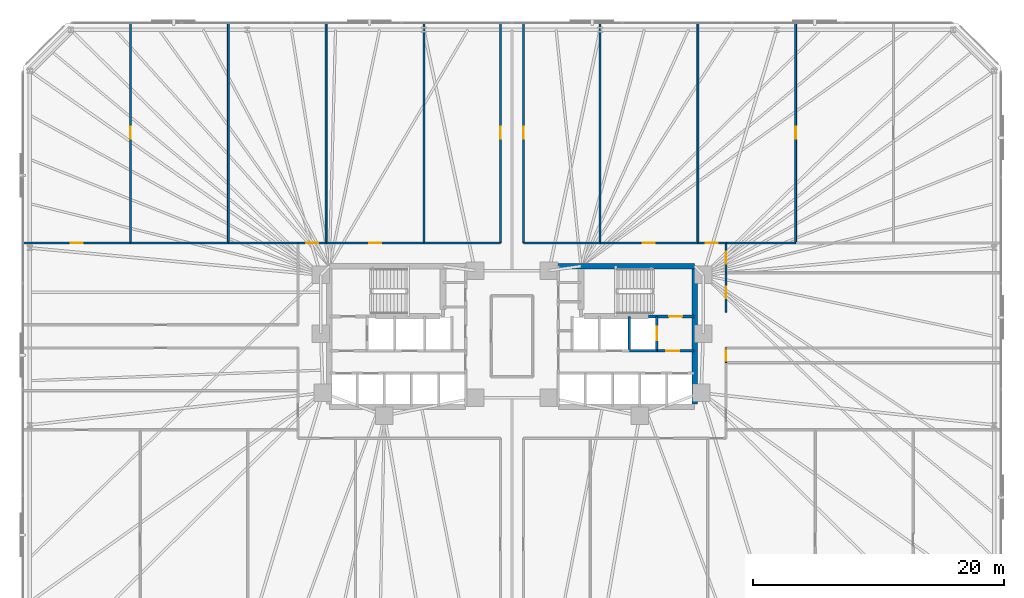
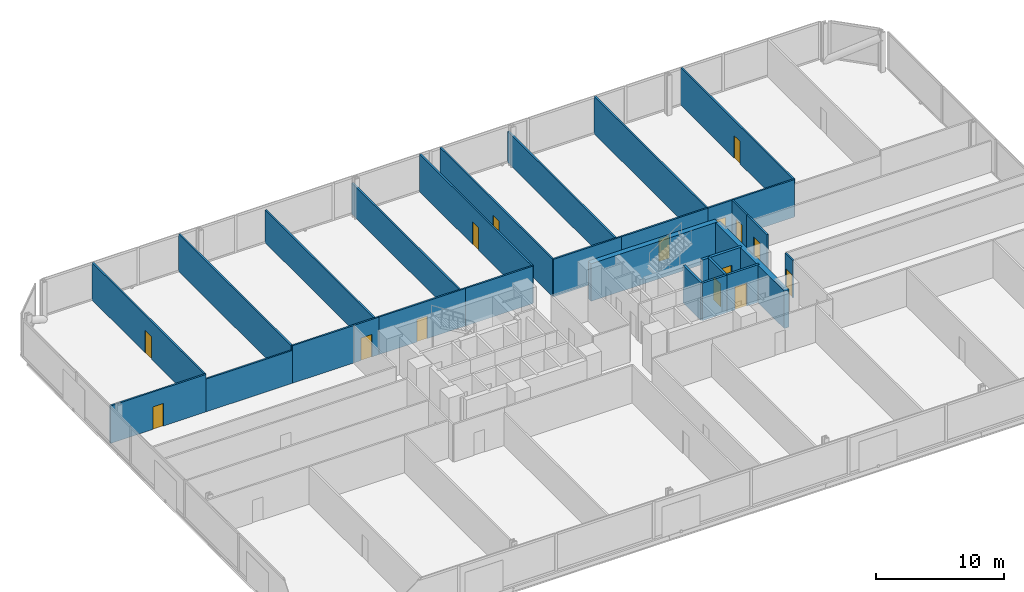
# One storey, part 14 of 17: 29 walls, 15 doors, 15 openings.
"""IFC4 building model written with IfcOpenShell, lengths in metres."""

from ifc_helpers import new_model, si_unit, direction, frame, frame_2d, origin, place, context, subcontext, project, spatial, rectangle, extrude, material, layer, layer_set, type_object, element, fill, save


model = new_model("IFC4")

# Units and contexts
model_context = context("Model", 3, precision=1e-05, world=origin(), true_north=direction((0.0, 1.0)))
body_context = subcontext(model_context, "Body", "Model", "MODEL_VIEW")
ifc_project = project(units=[si_unit("LENGTHUNIT", "METRE"), si_unit("AREAUNIT", "SQUARE_METRE"), si_unit("VOLUMEUNIT", "CUBIC_METRE"), si_unit("PLANEANGLEUNIT", "RADIAN"), si_unit("MASSUNIT", "GRAM", prefix="KILO")], contexts=[model_context])

# Site, building, storey
site_placement = place(None, origin())
site = spatial("IfcSite", under=ifc_project, at=site_placement, CompositionType="ELEMENT")
building_placement = place(site_placement, origin())
building = spatial("IfcBuilding", under=site, at=building_placement, Name="Menara Jurai Vektor", CompositionType="ELEMENT")
storey_placement = place(building_placement, frame((0.0, 0.0, 63.60009765625)))
storey = spatial("IfcBuildingStorey", under=building, at=storey_placement, Name="L15", CompositionType="ELEMENT", Elevation=63.60009765625)

# Wall, opening, door
ifc_material_1 = material(Name="Concrete C40/50", Category="concrete")
ifc_layer_1 = layer(ifc_material_1, 0.25)
ifc_layer_set_1 = layer_set([ifc_layer_1], Name="Concrete C40/50")
wall_type_1 = type_object("IfcWallType", Name="INT-WALL-CORE-250", PredefinedType="STANDARD", material=ifc_layer_set_1)
wall_1_placement = place(storey_placement, frame((10.89990234375, 1.60009765625, 0.0), z_axis=(0.0, 0.0, 1.0), x_axis=(1.0, 0.0, 0.0)))
wall_1 = element("IfcWall", 1, at=wall_1_placement, inside=storey, type_object=wall_type_1, Name="Interior Wall IW-250 L15", PredefinedType="STANDARD", context=body_context, shape_type="SweptSolid", body=[
    extrude(rectangle(XDim=3.60009765625, YDim=0.25, at=frame_2d((1.800048828125, 0.0))), origin(), (0.0, 0.0, 1.0), 3.574951171875),
])
opening_1_placement = place(wall_1_placement, frame((1.6201171875, 0.0, 0.0)))
opening_1 = element("IfcOpeningElement", 2, at=opening_1_placement, cuts=wall_1, Name="Opening D-L15-ST2", PredefinedType="OPENING", context=body_context, shape_type="SweptSolid", body=[
    extrude(rectangle(XDim=1.050048828125, YDim=2.14990234375, at=frame_2d((0.52490234375, 1.074951171875))), frame((0.0, 0.135009765625, 0.0), z_axis=(0.0, -1.0, 0.0), x_axis=(1.0, 0.0, 0.0)), (0.0, 0.0, 1.0), 0.27001953125),
])
ifc_material_2 = material(Name="Fire-Rated Steel Door", Category="steel")
door_type_1 = type_object("IfcDoorType", Name="DR-STAIR-1050", OperationType="NOTDEFINED", PredefinedType="DOOR", material=ifc_material_2)
door_1_placement = place(opening_1_placement, origin())
door_1 = element("IfcDoor", 3, at=door_1_placement, inside=storey, type_object=door_type_1, Name="Exit Stair ST2 Door L15", OperationType="SINGLE_SWING_LEFT", OverallHeight=2.14990234375, OverallWidth=1.050048828125, PredefinedType="DOOR", context=body_context, shape_type="SweptSolid", body=[
    extrude(rectangle(XDim=1.050048828125, YDim=2.14990234375, at=frame_2d((0.52490234375, 1.074951171875))), frame((0.0, 0.02490234375, 0.0), z_axis=(0.0, -1.0, 0.0), x_axis=(1.0, 0.0, 0.0)), (0.0, 0.0, 1.0), 0.050048828125),
])
fill(opening_1, door_1)

wall_2_placement = place(storey_placement, frame((11.550048828125, -1.14990234375, 0.0), z_axis=(0.0, 0.0, 1.0), x_axis=(0.0, 1.0, 0.0)))
wall_2 = element("IfcWall", 4, at=wall_2_placement, inside=storey, type_object=wall_type_1, Name="Interior Wall IW-250 L15", PredefinedType="STANDARD", context=body_context, shape_type="SweptSolid", body=[
    extrude(rectangle(XDim=2.75, YDim=0.199951171875, at=frame_2d((1.375, 0.0))), origin(), (0.0, 0.0, 1.0), 3.574951171875),
])
opening_2_placement = place(wall_2_placement, frame((0.824951171875, 0.0, 0.0)))
opening_2 = element("IfcOpeningElement", 5, at=opening_2_placement, cuts=wall_2, Name="Opening LD-L15-FL2", PredefinedType="OPENING", context=body_context, shape_type="SweptSolid", body=[
    extrude(rectangle(XDim=1.10009765625, YDim=2.14990234375, at=frame_2d((0.550048828125, 1.074951171875))), frame((0.0, 0.10986328125, 0.0), z_axis=(0.0, -1.0, 0.0), x_axis=(1.0, 0.0, 0.0)), (0.0, 0.0, 1.0), 0.219970703125),
])
ifc_material_3 = material(Name="Stainless Steel Sliding Lift Landing Door", Category="steel")
door_type_2 = type_object("IfcDoorType", Name="DR-LIFT-FIRE-1100", OperationType="NOTDEFINED", PredefinedType="DOOR", material=ifc_material_3)
door_2_placement = place(opening_2_placement, origin())
door_2 = element("IfcDoor", 6, at=door_2_placement, inside=storey, type_object=door_type_2, Name="Lift Landing Door FL2 L15", OperationType="SLIDING_TO_RIGHT", OverallHeight=2.14990234375, OverallWidth=1.10009765625, PredefinedType="DOOR", context=body_context, shape_type="SweptSolid", body=[
    extrude(rectangle(XDim=1.10009765625, YDim=2.14990234375, at=frame_2d((0.550048828125, 1.074951171875))), frame((0.0, 0.02490234375, 0.0), z_axis=(0.0, -1.0, 0.0), x_axis=(1.0, 0.0, 0.0)), (0.0, 0.0, 1.0), 0.050048828125),
])
fill(opening_2, door_2)

# Wall
wall_3_placement = place(storey_placement, frame((9.35009765625, -1.14990234375, 0.0), z_axis=(0.0, 0.0, 1.0), x_axis=(0.0, 1.0, 0.0)))
element("IfcWall", 7, at=wall_3_placement, inside=storey, type_object=wall_type_1, Name="Interior Wall IW-250 L15", PredefinedType="STANDARD", context=body_context, shape_type="SweptSolid", body=[
    extrude(rectangle(XDim=2.75, YDim=0.199951171875, at=frame_2d((1.375, 0.0))), origin(), (0.0, 0.0, 1.0), 3.574951171875),
])

# Wall, opening, door
wall_4_placement = place(storey_placement, frame((11.550048828125, -1.14990234375, 0.0), z_axis=(0.0, 0.0, 1.0), x_axis=(1.0, 0.0, 0.0)))
wall_4 = element("IfcWall", 8, at=wall_4_placement, inside=storey, type_object=wall_type_1, Name="Interior Wall IW-250 L15", PredefinedType="STANDARD", context=body_context, shape_type="SweptSolid", body=[
    extrude(rectangle(XDim=2.949951171875, YDim=0.199951171875, at=frame_2d((1.47509765625, 0.0))), origin(), (0.0, 0.0, 1.0), 3.574951171875),
])
opening_3_placement = place(wall_4_placement, frame((0.75, 0.0, 0.0)))
opening_3 = element("IfcOpeningElement", 9, at=opening_3_placement, cuts=wall_4, Name="Opening D-L15-FFE", PredefinedType="OPENING", context=body_context, shape_type="SweptSolid", body=[
    extrude(rectangle(XDim=1.050048828125, YDim=2.179931640625, at=frame_2d((0.52490234375, 1.08984375))), frame((0.0, 0.10986328125, 0.0), z_axis=(0.0, -1.0, 0.0), x_axis=(1.0, 0.0, 0.0)), (0.0, 0.0, 1.0), 0.219970703125),
])
ifc_material_4 = material(Name="Fire-Rated Timber Door", Category="wood")
door_type_3 = type_object("IfcDoorType", Name="DR-LOBBY-1050", OperationType="NOTDEFINED", PredefinedType="DOOR", material=ifc_material_4)
door_3_placement = place(opening_3_placement, origin())
door_3 = element("IfcDoor", 10, at=door_3_placement, inside=storey, type_object=door_type_3, Name="Fire Lift Lobby Door E L15", OperationType="SINGLE_SWING_LEFT", OverallHeight=2.179931640625, OverallWidth=1.050048828125, PredefinedType="DOOR", context=body_context, shape_type="SweptSolid", body=[
    extrude(rectangle(XDim=1.050048828125, YDim=2.179931640625, at=frame_2d((0.52490234375, 1.08984375))), frame((0.0, 0.02490234375, 0.0), z_axis=(0.0, -1.0, 0.0), x_axis=(1.0, 0.0, 0.0)), (0.0, 0.0, 1.0), 0.050048828125),
])
fill(opening_3, door_3)

# Wall
wall_5_placement = place(storey_placement, frame((9.35009765625, -1.14990234375, 0.0), z_axis=(0.0, 0.0, 1.0), x_axis=(1.0, 0.0, 0.0)))
element("IfcWall", 11, at=wall_5_placement, inside=storey, type_object=wall_type_1, Name="Interior Wall IW-250 L15", PredefinedType="STANDARD", context=body_context, shape_type="SweptSolid", body=[
    extrude(rectangle(XDim=2.199951171875, YDim=0.199951171875, at=frame_2d((1.10009765625, 0.0))), origin(), (0.0, 0.0, 1.0), 3.574951171875),
])

# Wall, opening, door
ifc_material_5 = material(Name="Gypsum Fireboard Partition", Category="gypsum")
ifc_layer_2 = layer(ifc_material_5, 0.14990234375)
ifc_layer_set_2 = layer_set([ifc_layer_2], Name="Gypsum Fireboard Partition")
wall_type_2 = type_object("IfcWallType", Name="INT-WALL-CORR-150", PredefinedType="PARTITIONING", material=ifc_layer_set_2)
wall_6_placement = place(storey_placement, frame((-17.05908203125, 7.449951171875, 0.0), z_axis=(0.0, 0.0, 1.0), x_axis=(1.0, 0.0, 0.0)))
wall_6 = element("IfcWall", 12, at=wall_6_placement, inside=storey, type_object=wall_type_2, Name="Interior Wall IW-150 L15", PredefinedType="PARTITIONING", context=body_context, shape_type="SweptSolid", body=[
    extrude(rectangle(XDim=2.239013671875, YDim=0.14990234375, at=frame_2d((1.11962890625, 0.0))), origin(), (0.0, 0.0, 1.0), 3.574951171875),
])
opening_4_placement = place(wall_6_placement, frame((0.64453125, 0.0, 0.0)))
opening_4 = element("IfcOpeningElement", 13, at=opening_4_placement, cuts=wall_6, Name="Opening D15-07", PredefinedType="OPENING", context=body_context, shape_type="SweptSolid", body=[
    extrude(rectangle(XDim=0.949951171875, YDim=2.14990234375, at=frame_2d((0.47509765625, 1.074951171875))), frame((0.0, 0.0849609375, 0.0), z_axis=(0.0, -1.0, 0.0), x_axis=(1.0, 0.0, 0.0)), (0.0, 0.0, 1.0), 0.169921875),
])
ifc_material_6 = material(Name="Solid Core Timber Fire Door", Category="wood")
door_type_4 = type_object("IfcDoorType", Name="DR-ENTRY-950", OperationType="NOTDEFINED", PredefinedType="DOOR", material=ifc_material_6)
door_4_placement = place(opening_4_placement, origin())
door_4 = element("IfcDoor", 14, at=door_4_placement, inside=storey, type_object=door_type_4, Name="Interior Door D15-07", OperationType="SINGLE_SWING_RIGHT", OverallHeight=2.14990234375, OverallWidth=0.949951171875, PredefinedType="DOOR", context=body_context, shape_type="SweptSolid", body=[
    extrude(rectangle(XDim=0.949951171875, YDim=2.14990234375, at=frame_2d((0.47509765625, 1.074951171875))), frame((0.0, 0.02490234375, 0.0), z_axis=(0.0, -1.0, 0.0), x_axis=(1.0, 0.0, 0.0)), (0.0, 0.0, 1.0), 0.050048828125),
])
fill(opening_4, door_4)

wall_7_placement = place(storey_placement, frame((-14.820068359375, 7.449951171875, 0.0), z_axis=(0.0, 0.0, 1.0), x_axis=(1.0, 0.0, 0.0)))
wall_7 = element("IfcWall", 15, at=wall_7_placement, inside=storey, type_object=wall_type_2, Name="Interior Wall IW-150 L15", PredefinedType="PARTITIONING", context=body_context, shape_type="SweptSolid", body=[
    extrude(rectangle(XDim=7.800048828125, YDim=0.14990234375, at=frame_2d((3.89990234375, 0.0))), origin(), (0.0, 0.0, 1.0), 3.574951171875),
])
opening_5_placement = place(wall_7_placement, frame((3.425048828125, 0.0, 0.0)))
opening_5 = element("IfcOpeningElement", 16, at=opening_5_placement, cuts=wall_7, Name="Opening D15-08", PredefinedType="OPENING", context=body_context, shape_type="SweptSolid", body=[
    extrude(rectangle(XDim=0.949951171875, YDim=2.14990234375, at=frame_2d((0.47509765625, 1.074951171875))), frame((0.0, 0.0849609375, 0.0), z_axis=(0.0, -1.0, 0.0), x_axis=(1.0, 0.0, 0.0)), (0.0, 0.0, 1.0), 0.169921875),
])
door_5_placement = place(opening_5_placement, origin())
door_5 = element("IfcDoor", 17, at=door_5_placement, inside=storey, type_object=door_type_4, Name="Interior Door D15-08", OperationType="SINGLE_SWING_LEFT", OverallHeight=2.14990234375, OverallWidth=0.949951171875, PredefinedType="DOOR", context=body_context, shape_type="SweptSolid", body=[
    extrude(rectangle(XDim=0.949951171875, YDim=2.14990234375, at=frame_2d((0.47509765625, 1.074951171875))), frame((0.0, 0.02490234375, 0.0), z_axis=(0.0, -1.0, 0.0), x_axis=(1.0, 0.0, 0.0)), (0.0, 0.0, 1.0), 0.050048828125),
])
fill(opening_5, door_5)

# Wall
wall_8_placement = place(storey_placement, frame((-7.02001953125, 7.449951171875, 0.0), z_axis=(0.0, 0.0, 1.0), x_axis=(1.0, 0.0, 0.0)))
element("IfcWall", 18, at=wall_8_placement, inside=storey, type_object=wall_type_2, Name="Interior Wall IW-150 L15", PredefinedType="PARTITIONING", context=body_context, shape_type="SweptSolid", body=[
    extrude(rectangle(XDim=6.10009765625, YDim=0.14990234375, at=frame_2d((3.050048828125, 0.0))), origin(), (0.0, 0.0, 1.0), 3.574951171875),
])

# Wall, opening, door
wall_9_placement = place(storey_placement, frame((-0.919921875, 7.449951171875, 0.0), z_axis=(0.0, 0.0, 1.0), x_axis=(0.0, 1.0, 0.0)))
wall_9 = element("IfcWall", 19, at=wall_9_placement, inside=storey, type_object=wall_type_2, Name="Interior Wall IW-150 L15", PredefinedType="PARTITIONING", context=body_context, shape_type="SweptSolid", body=[
    extrude(rectangle(XDim=17.550048828125, YDim=0.14990234375, at=frame_2d((8.77490234375, 0.0))), origin(), (0.0, 0.0, 1.0), 3.574951171875),
])
opening_6_placement = place(wall_9_placement, frame((8.300048828125, 0.0, 0.0)))
opening_6 = element("IfcOpeningElement", 20, at=opening_6_placement, cuts=wall_9, Name="Opening D15-09", PredefinedType="OPENING", context=body_context, shape_type="SweptSolid", body=[
    extrude(rectangle(XDim=0.949951171875, YDim=2.14990234375, at=frame_2d((0.47509765625, 1.074951171875))), frame((0.0, 0.0849609375, 0.0), z_axis=(0.0, -1.0, 0.0), x_axis=(1.0, 0.0, 0.0)), (0.0, 0.0, 1.0), 0.169921875),
])
door_6_placement = place(opening_6_placement, origin())
door_6 = element("IfcDoor", 21, at=door_6_placement, inside=storey, type_object=door_type_4, Name="Interior Door D15-09", OperationType="SINGLE_SWING_RIGHT", OverallHeight=2.14990234375, OverallWidth=0.949951171875, PredefinedType="DOOR", context=body_context, shape_type="SweptSolid", body=[
    extrude(rectangle(XDim=0.949951171875, YDim=2.14990234375, at=frame_2d((0.47509765625, 1.074951171875))), frame((0.0, 0.02490234375, 0.0), z_axis=(0.0, -1.0, 0.0), x_axis=(1.0, 0.0, 0.0)), (0.0, 0.0, 1.0), 0.050048828125),
])
fill(opening_6, door_6)

wall_10_placement = place(storey_placement, frame((0.919921875, 7.449951171875, 0.0), z_axis=(0.0, 0.0, 1.0), x_axis=(0.0, 1.0, 0.0)))
wall_10 = element("IfcWall", 22, at=wall_10_placement, inside=storey, type_object=wall_type_2, Name="Interior Wall IW-150 L15", PredefinedType="PARTITIONING", context=body_context, shape_type="SweptSolid", body=[
    extrude(rectangle(XDim=17.550048828125, YDim=0.14990234375, at=frame_2d((8.77490234375, 0.0))), origin(), (0.0, 0.0, 1.0), 3.574951171875),
])
opening_7_placement = place(wall_10_placement, frame((8.300048828125, 0.0, 0.0)))
opening_7 = element("IfcOpeningElement", 23, at=opening_7_placement, cuts=wall_10, Name="Opening D15-10", PredefinedType="OPENING", context=body_context, shape_type="SweptSolid", body=[
    extrude(rectangle(XDim=0.949951171875, YDim=2.14990234375, at=frame_2d((0.47509765625, 1.074951171875))), frame((0.0, 0.0849609375, 0.0), z_axis=(0.0, -1.0, 0.0), x_axis=(1.0, 0.0, 0.0)), (0.0, 0.0, 1.0), 0.169921875),
])
door_7_placement = place(opening_7_placement, origin())
door_7 = element("IfcDoor", 24, at=door_7_placement, inside=storey, type_object=door_type_4, Name="Interior Door D15-10", OperationType="SINGLE_SWING_LEFT", OverallHeight=2.14990234375, OverallWidth=0.949951171875, PredefinedType="DOOR", context=body_context, shape_type="SweptSolid", body=[
    extrude(rectangle(XDim=0.949951171875, YDim=2.14990234375, at=frame_2d((0.47509765625, 1.074951171875))), frame((0.0, 0.02490234375, 0.0), z_axis=(0.0, -1.0, 0.0), x_axis=(1.0, 0.0, 0.0)), (0.0, 0.0, 1.0), 0.050048828125),
])
fill(opening_7, door_7)

# Wall
wall_11_placement = place(storey_placement, frame((0.919921875, 7.449951171875, 0.0), z_axis=(0.0, 0.0, 1.0), x_axis=(1.0, 0.0, 0.0)))
element("IfcWall", 25, at=wall_11_placement, inside=storey, type_object=wall_type_2, Name="Interior Wall IW-150 L15", PredefinedType="PARTITIONING", context=body_context, shape_type="SweptSolid", body=[
    extrude(rectangle(XDim=6.10009765625, YDim=0.14990234375, at=frame_2d((3.050048828125, 0.0))), origin(), (0.0, 0.0, 1.0), 3.574951171875),
])

# Wall, opening, door
wall_12_placement = place(storey_placement, frame((7.02001953125, 7.449951171875, 0.0), z_axis=(0.0, 0.0, 1.0), x_axis=(1.0, 0.0, 0.0)))
wall_12 = element("IfcWall", 26, at=wall_12_placement, inside=storey, type_object=wall_type_2, Name="Interior Wall IW-150 L15", PredefinedType="PARTITIONING", context=body_context, shape_type="SweptSolid", body=[
    extrude(rectangle(XDim=7.800048828125, YDim=0.14990234375, at=frame_2d((3.89990234375, 0.0))), origin(), (0.0, 0.0, 1.0), 3.574951171875),
])
opening_8_placement = place(wall_12_placement, frame((3.425048828125, 0.0, 0.0)))
opening_8 = element("IfcOpeningElement", 27, at=opening_8_placement, cuts=wall_12, Name="Opening D15-11", PredefinedType="OPENING", context=body_context, shape_type="SweptSolid", body=[
    extrude(rectangle(XDim=0.949951171875, YDim=2.14990234375, at=frame_2d((0.47509765625, 1.074951171875))), frame((0.0, 0.0849609375, 0.0), z_axis=(0.0, -1.0, 0.0), x_axis=(1.0, 0.0, 0.0)), (0.0, 0.0, 1.0), 0.169921875),
])
door_8_placement = place(opening_8_placement, origin())
door_8 = element("IfcDoor", 28, at=door_8_placement, inside=storey, type_object=door_type_4, Name="Interior Door D15-11", OperationType="SINGLE_SWING_RIGHT", OverallHeight=2.14990234375, OverallWidth=0.949951171875, PredefinedType="DOOR", context=body_context, shape_type="SweptSolid", body=[
    extrude(rectangle(XDim=0.949951171875, YDim=2.14990234375, at=frame_2d((0.47509765625, 1.074951171875))), frame((0.0, 0.02490234375, 0.0), z_axis=(0.0, -1.0, 0.0), x_axis=(1.0, 0.0, 0.0)), (0.0, 0.0, 1.0), 0.050048828125),
])
fill(opening_8, door_8)

wall_13_placement = place(storey_placement, frame((14.820068359375, 7.449951171875, 0.0), z_axis=(0.0, 0.0, 1.0), x_axis=(1.0, 0.0, 0.0)))
wall_13 = element("IfcWall", 29, at=wall_13_placement, inside=storey, type_object=wall_type_2, Name="Interior Wall IW-150 L15", PredefinedType="PARTITIONING", context=body_context, shape_type="SweptSolid", body=[
    extrude(rectangle(XDim=2.239013671875, YDim=0.14990234375, at=frame_2d((1.11962890625, 0.0))), origin(), (0.0, 0.0, 1.0), 3.574951171875),
])
opening_9_placement = place(wall_13_placement, frame((0.64453125, 0.0, 0.0)))
opening_9 = element("IfcOpeningElement", 30, at=opening_9_placement, cuts=wall_13, Name="Opening D15-12", PredefinedType="OPENING", context=body_context, shape_type="SweptSolid", body=[
    extrude(rectangle(XDim=0.949951171875, YDim=2.14990234375, at=frame_2d((0.47509765625, 1.074951171875))), frame((0.0, 0.0849609375, 0.0), z_axis=(0.0, -1.0, 0.0), x_axis=(1.0, 0.0, 0.0)), (0.0, 0.0, 1.0), 0.169921875),
])
door_9_placement = place(opening_9_placement, origin())
door_9 = element("IfcDoor", 31, at=door_9_placement, inside=storey, type_object=door_type_4, Name="Interior Door D15-12", OperationType="SINGLE_SWING_LEFT", OverallHeight=2.14990234375, OverallWidth=0.949951171875, PredefinedType="DOOR", context=body_context, shape_type="SweptSolid", body=[
    extrude(rectangle(XDim=0.949951171875, YDim=2.14990234375, at=frame_2d((0.47509765625, 1.074951171875))), frame((0.0, 0.02490234375, 0.0), z_axis=(0.0, -1.0, 0.0), x_axis=(1.0, 0.0, 0.0)), (0.0, 0.0, 1.0), 0.050048828125),
])
fill(opening_9, door_9)

wall_14_placement = place(storey_placement, frame((17.05908203125, -2.0859375, 0.0), z_axis=(0.0, 0.0, 1.0), x_axis=(0.0, 1.0, 0.0)))
wall_14 = element("IfcWall", 32, at=wall_14_placement, inside=storey, type_object=wall_type_2, Name="Interior Wall IW-150 L15", PredefinedType="PARTITIONING", context=body_context, shape_type="SweptSolid", body=[
    extrude(rectangle(XDim=1.166015625, YDim=0.14990234375, at=frame_2d((0.5830078125, 0.0))), origin(), (0.0, 0.0, 1.0), 3.574951171875),
])
opening_10_placement = place(wall_14_placement, frame((0.1201171875, 0.0, 0.0)))
opening_10 = element("IfcOpeningElement", 33, at=opening_10_placement, cuts=wall_14, Name="Opening D15-22", PredefinedType="OPENING", context=body_context, shape_type="SweptSolid", body=[
    extrude(rectangle(XDim=0.926025390625, YDim=2.14990234375, at=frame_2d((0.462890625, 1.074951171875))), frame((0.0, 0.0849609375, 0.0), z_axis=(0.0, -1.0, 0.0), x_axis=(1.0, 0.0, 0.0)), (0.0, 0.0, 1.0), 0.169921875),
])
door_10_placement = place(opening_10_placement, origin())
door_10 = element("IfcDoor", 34, at=door_10_placement, inside=storey, type_object=door_type_4, Name="Interior Door D15-22", OperationType="SINGLE_SWING_LEFT", OverallHeight=2.14990234375, OverallWidth=0.926025390625, PredefinedType="DOOR", context=body_context, shape_type="SweptSolid", body=[
    extrude(rectangle(XDim=0.926025390625, YDim=2.14990234375, at=frame_2d((0.462890625, 1.074951171875))), frame((0.0, 0.02490234375, 0.0), z_axis=(0.0, -1.0, 0.0), x_axis=(1.0, 0.0, 0.0)), (0.0, 0.0, 1.0), 0.050048828125),
])
fill(opening_10, door_10)

wall_15_placement = place(storey_placement, frame((17.05908203125, 1.93701171875, 0.0), z_axis=(0.0, 0.0, 1.0), x_axis=(0.0, 1.0, 0.0)))
wall_15 = element("IfcWall", 35, at=wall_15_placement, inside=storey, type_object=wall_type_2, Name="Interior Wall IW-150 L15", PredefinedType="PARTITIONING", context=body_context, shape_type="SweptSolid", body=[
    extrude(rectangle(XDim=3.12890625, YDim=0.14990234375, at=frame_2d((1.564453125, 0.0))), origin(), (0.0, 0.0, 1.0), 3.574951171875),
])
opening_11_placement = place(wall_15_placement, frame((1.089599609375, 0.0, 0.0)))
opening_11 = element("IfcOpeningElement", 36, at=opening_11_placement, cuts=wall_15, Name="Opening D15-23", PredefinedType="OPENING", context=body_context, shape_type="SweptSolid", body=[
    extrude(rectangle(XDim=0.949951171875, YDim=2.14990234375, at=frame_2d((0.47509765625, 1.074951171875))), frame((0.0, 0.0849609375, 0.0), z_axis=(0.0, -1.0, 0.0), x_axis=(1.0, 0.0, 0.0)), (0.0, 0.0, 1.0), 0.169921875),
])
door_11_placement = place(opening_11_placement, origin())
door_11 = element("IfcDoor", 37, at=door_11_placement, inside=storey, type_object=door_type_4, Name="Interior Door D15-23", OperationType="SINGLE_SWING_RIGHT", OverallHeight=2.14990234375, OverallWidth=0.949951171875, PredefinedType="DOOR", context=body_context, shape_type="SweptSolid", body=[
    extrude(rectangle(XDim=0.949951171875, YDim=2.14990234375, at=frame_2d((0.47509765625, 1.074951171875))), frame((0.0, 0.02490234375, 0.0), z_axis=(0.0, -1.0, 0.0), x_axis=(1.0, 0.0, 0.0)), (0.0, 0.0, 1.0), 0.050048828125),
])
fill(opening_11, door_11)

wall_16_placement = place(storey_placement, frame((17.05908203125, 5.06591796875, 0.0), z_axis=(0.0, 0.0, 1.0), x_axis=(0.0, 1.0, 0.0)))
wall_16 = element("IfcWall", 38, at=wall_16_placement, inside=storey, type_object=wall_type_2, Name="Interior Wall IW-150 L15", PredefinedType="PARTITIONING", context=body_context, shape_type="SweptSolid", body=[
    extrude(rectangle(XDim=2.384033203125, YDim=0.14990234375, at=frame_2d((1.19189453125, 0.0))), origin(), (0.0, 0.0, 1.0), 3.574951171875),
])
opening_12_placement = place(wall_16_placement, frame((0.717041015625, 0.0, 0.0)))
opening_12 = element("IfcOpeningElement", 39, at=opening_12_placement, cuts=wall_16, Name="Opening D15-24", PredefinedType="OPENING", context=body_context, shape_type="SweptSolid", body=[
    extrude(rectangle(XDim=0.949951171875, YDim=2.14990234375, at=frame_2d((0.47509765625, 1.074951171875))), frame((0.0, 0.0849609375, 0.0), z_axis=(0.0, -1.0, 0.0), x_axis=(1.0, 0.0, 0.0)), (0.0, 0.0, 1.0), 0.169921875),
])
door_12_placement = place(opening_12_placement, origin())
door_12 = element("IfcDoor", 40, at=door_12_placement, inside=storey, type_object=door_type_4, Name="Interior Door D15-24", OperationType="SINGLE_SWING_LEFT", OverallHeight=2.14990234375, OverallWidth=0.949951171875, PredefinedType="DOOR", context=body_context, shape_type="SweptSolid", body=[
    extrude(rectangle(XDim=0.949951171875, YDim=2.14990234375, at=frame_2d((0.47509765625, 1.074951171875))), frame((0.0, 0.02490234375, 0.0), z_axis=(0.0, -1.0, 0.0), x_axis=(1.0, 0.0, 0.0)), (0.0, 0.0, 1.0), 0.050048828125),
])
fill(opening_12, door_12)

wall_17_placement = place(storey_placement, frame((-30.419921875, 7.449951171875, 0.0), z_axis=(0.0, 0.0, 1.0), x_axis=(0.0, 1.0, 0.0)))
wall_17 = element("IfcWall", 41, at=wall_17_placement, inside=storey, type_object=wall_type_2, Name="Interior Wall IW-150 L15", PredefinedType="PARTITIONING", context=body_context, shape_type="SweptSolid", body=[
    extrude(rectangle(XDim=17.550048828125, YDim=0.14990234375, at=frame_2d((8.77490234375, 0.0))), origin(), (0.0, 0.0, 1.0), 3.574951171875),
])
opening_13_placement = place(wall_17_placement, frame((8.300048828125, 0.0, 0.0)))
opening_13 = element("IfcOpeningElement", 42, at=opening_13_placement, cuts=wall_17, Name="Opening D15-26", PredefinedType="OPENING", context=body_context, shape_type="SweptSolid", body=[
    extrude(rectangle(XDim=0.949951171875, YDim=2.14990234375, at=frame_2d((0.47509765625, 1.074951171875))), frame((0.0, 0.0849609375, 0.0), z_axis=(0.0, -1.0, 0.0), x_axis=(1.0, 0.0, 0.0)), (0.0, 0.0, 1.0), 0.169921875),
])
door_13_placement = place(opening_13_placement, origin())
door_13 = element("IfcDoor", 43, at=door_13_placement, inside=storey, type_object=door_type_4, Name="Interior Door D15-26", OperationType="SINGLE_SWING_LEFT", OverallHeight=2.14990234375, OverallWidth=0.949951171875, PredefinedType="DOOR", context=body_context, shape_type="SweptSolid", body=[
    extrude(rectangle(XDim=0.949951171875, YDim=2.14990234375, at=frame_2d((0.47509765625, 1.074951171875))), frame((0.0, 0.02490234375, 0.0), z_axis=(0.0, -1.0, 0.0), x_axis=(1.0, 0.0, 0.0)), (0.0, 0.0, 1.0), 0.050048828125),
])
fill(opening_13, door_13)

wall_18_placement = place(storey_placement, frame((-39.0, 7.449951171875, 0.0), z_axis=(0.0, 0.0, 1.0), x_axis=(1.0, 0.0, 0.0)))
wall_18 = element("IfcWall", 44, at=wall_18_placement, inside=storey, type_object=wall_type_2, Name="Interior Wall IW-150 L15", PredefinedType="PARTITIONING", context=body_context, shape_type="SweptSolid", body=[
    extrude(rectangle(XDim=8.580078125, YDim=0.14990234375, at=frame_2d((4.2900390625, 0.0))), origin(), (0.0, 0.0, 1.0), 3.574951171875),
])
opening_14_placement = place(wall_18_placement, frame((3.81494140625, 0.0, 0.0)))
opening_14 = element("IfcOpeningElement", 45, at=opening_14_placement, cuts=wall_18, Name="Opening D15-25", PredefinedType="OPENING", context=body_context, shape_type="SweptSolid", body=[
    extrude(rectangle(XDim=0.949951171875, YDim=2.14990234375, at=frame_2d((0.47509765625, 1.074951171875))), frame((0.0, 0.0849609375, 0.0), z_axis=(0.0, -1.0, 0.0), x_axis=(1.0, 0.0, 0.0)), (0.0, 0.0, 1.0), 0.169921875),
])
door_14_placement = place(opening_14_placement, origin())
door_14 = element("IfcDoor", 46, at=door_14_placement, inside=storey, type_object=door_type_4, Name="Interior Door D15-25", OperationType="SINGLE_SWING_RIGHT", OverallHeight=2.14990234375, OverallWidth=0.949951171875, PredefinedType="DOOR", context=body_context, shape_type="SweptSolid", body=[
    extrude(rectangle(XDim=0.949951171875, YDim=2.14990234375, at=frame_2d((0.47509765625, 1.074951171875))), frame((0.0, 0.02490234375, 0.0), z_axis=(0.0, -1.0, 0.0), x_axis=(1.0, 0.0, 0.0)), (0.0, 0.0, 1.0), 0.050048828125),
])
fill(opening_14, door_14)

# Walls
wall_19_placement = place(storey_placement, frame((-22.6201171875, 7.449951171875, 0.0), z_axis=(0.0, 0.0, 1.0), x_axis=(0.0, 1.0, 0.0)))
element("IfcWall", 47, at=wall_19_placement, inside=storey, type_object=wall_type_2, Name="Interior Wall IW-150 L15", PredefinedType="PARTITIONING", context=body_context, shape_type="SweptSolid", body=[
    extrude(rectangle(XDim=17.550048828125, YDim=0.14990234375, at=frame_2d((8.77490234375, 0.0))), origin(), (0.0, 0.0, 1.0), 3.574951171875),
])
wall_20_placement = place(storey_placement, frame((-22.6201171875, 7.449951171875, 0.0), z_axis=(0.0, 0.0, 1.0), x_axis=(1.0, 0.0, 0.0)))
element("IfcWall", 48, at=wall_20_placement, inside=storey, type_object=wall_type_2, Name="Interior Wall IW-150 L15", PredefinedType="PARTITIONING", context=body_context, shape_type="SweptSolid", body=[
    extrude(rectangle(XDim=5.56103515625, YDim=0.14990234375, at=frame_2d((2.780517578125, 0.0))), origin(), (0.0, 0.0, 1.0), 3.574951171875),
])
wall_21_placement = place(storey_placement, frame((14.820068359375, 7.449951171875, 0.0), z_axis=(0.0, 0.0, 1.0), x_axis=(0.0, 1.0, 0.0)))
element("IfcWall", 49, at=wall_21_placement, inside=storey, type_object=wall_type_2, Name="Interior Wall IW-150 L15", PredefinedType="PARTITIONING", context=body_context, shape_type="SweptSolid", body=[
    extrude(rectangle(XDim=17.550048828125, YDim=0.14990234375, at=frame_2d((8.77490234375, 0.0))), origin(), (0.0, 0.0, 1.0), 3.574951171875),
])

# Wall, opening, door
wall_22_placement = place(storey_placement, frame((22.6201171875, 7.449951171875, 0.0), z_axis=(0.0, 0.0, 1.0), x_axis=(0.0, 1.0, 0.0)))
wall_22 = element("IfcWall", 50, at=wall_22_placement, inside=storey, type_object=wall_type_2, Name="Interior Wall IW-150 L15", PredefinedType="PARTITIONING", context=body_context, shape_type="SweptSolid", body=[
    extrude(rectangle(XDim=17.550048828125, YDim=0.14990234375, at=frame_2d((8.77490234375, 0.0))), origin(), (0.0, 0.0, 1.0), 3.574951171875),
])
opening_15_placement = place(wall_22_placement, frame((8.300048828125, 0.0, 0.0)))
opening_15 = element("IfcOpeningElement", 51, at=opening_15_placement, cuts=wall_22, Name="Opening D15-27", PredefinedType="OPENING", context=body_context, shape_type="SweptSolid", body=[
    extrude(rectangle(XDim=0.949951171875, YDim=2.14990234375, at=frame_2d((0.47509765625, 1.074951171875))), frame((0.0, 0.0849609375, 0.0), z_axis=(0.0, -1.0, 0.0), x_axis=(1.0, 0.0, 0.0)), (0.0, 0.0, 1.0), 0.169921875),
])
door_15_placement = place(opening_15_placement, origin())
door_15 = element("IfcDoor", 52, at=door_15_placement, inside=storey, type_object=door_type_4, Name="Interior Door D15-27", OperationType="SINGLE_SWING_RIGHT", OverallHeight=2.14990234375, OverallWidth=0.949951171875, PredefinedType="DOOR", context=body_context, shape_type="SweptSolid", body=[
    extrude(rectangle(XDim=0.949951171875, YDim=2.14990234375, at=frame_2d((0.47509765625, 1.074951171875))), frame((0.0, 0.02490234375, 0.0), z_axis=(0.0, -1.0, 0.0), x_axis=(1.0, 0.0, 0.0)), (0.0, 0.0, 1.0), 0.050048828125),
])
fill(opening_15, door_15)

# Walls
wall_23_placement = place(storey_placement, frame((17.05908203125, 7.449951171875, 0.0), z_axis=(0.0, 0.0, 1.0), x_axis=(1.0, 0.0, 0.0)))
element("IfcWall", 53, at=wall_23_placement, inside=storey, type_object=wall_type_2, Name="Interior Wall IW-150 L15", PredefinedType="PARTITIONING", context=body_context, shape_type="SweptSolid", body=[
    extrude(rectangle(XDim=5.56103515625, YDim=0.14990234375, at=frame_2d((2.780517578125, 0.0))), origin(), (0.0, 0.0, 1.0), 3.574951171875),
])
ifc_layer_3 = layer(ifc_material_5, 0.14990234375)
ifc_layer_set_3 = layer_set([ifc_layer_3], Name="Gypsum Fireboard Partition")
wall_type_3 = type_object("IfcWallType", Name="INT-WALL-CORR-150-H1", PredefinedType="PARTITIONING", material=ifc_layer_set_3)
wall_24_placement = place(storey_placement, frame((-30.419921875, 7.449951171875, 0.0), z_axis=(0.0, 0.0, 1.0), x_axis=(1.0, 0.0, 0.0)))
element("IfcWall", 54, at=wall_24_placement, inside=storey, type_object=wall_type_3, Name="Interior Wall IW-150 L15", PredefinedType="PARTITIONING", context=body_context, shape_type="SweptSolid", body=[
    extrude(rectangle(XDim=7.7998046875, YDim=0.14990234375, at=frame_2d((3.89990234375, 0.0))), origin(), (0.0, 0.0, 1.0), 3.125),
])
wall_25_placement = place(storey_placement, frame((-14.820068359375, 7.449951171875, 0.0), z_axis=(0.0, 0.0, 1.0), x_axis=(0.0, 1.0, 0.0)))
element("IfcWall", 55, at=wall_25_placement, inside=storey, type_object=wall_type_3, Name="Interior Wall IW-150 L15", PredefinedType="PARTITIONING", context=body_context, shape_type="SweptSolid", body=[
    extrude(rectangle(XDim=17.550048828125, YDim=0.14990234375, at=frame_2d((8.77490234375, 0.0))), origin(), (0.0, 0.0, 1.0), 3.125),
])
ifc_layer_4 = layer(ifc_material_5, 0.14990234375)
ifc_layer_set_4 = layer_set([ifc_layer_4], Name="Gypsum Fireboard Partition")
wall_type_4 = type_object("IfcWallType", Name="INT-WALL-CORR-150-H2", PredefinedType="PARTITIONING", material=ifc_layer_set_4)
for number, where, z_axis, x_axis, name in (
    (56, (-7.02001953125, 7.449951171875, 0.0), (0.0, 0.0, 1.0), (0.0, 1.0, 0.0), "Interior Wall IW-150 L15"),
    (57, (7.02001953125, 7.449951171875, 0.0), (0.0, 0.0, 1.0), (0.0, 1.0, 0.0), "Interior Wall IW-150 L15"),
):
    element("IfcWall", number, at=place(storey_placement, frame(where, z_axis=z_axis, x_axis=x_axis)), inside=storey, type_object=wall_type_4, Name=name, PredefinedType="PARTITIONING", context=body_context, shape_type="SweptSolid", body=[
        extrude(rectangle(XDim=17.550048828125, YDim=0.14990234375, at=frame_2d((8.77490234375, 0.0))), origin(), (0.0, 0.0, 1.0), 2.974853515625),
    ])
ifc_material_7 = material(Name="Concrete C60/75", Category="concrete")
ifc_layer_5 = layer(ifc_material_7, 0.449951171875)
ifc_layer_set_5 = layer_set([ifc_layer_5], Name="Concrete C60/75")
wall_type_5 = type_object("IfcWallType", Name="STR-WALL-CORE450", PredefinedType="SHEAR", material=ifc_layer_set_5)
wall_26_placement = place(storey_placement, frame((3.14990234375, 5.60009765625, 0.0), z_axis=(0.0, 0.0, 1.0), x_axis=(1.0, 0.0, 0.0)))
element("IfcWall", 58, at=wall_26_placement, inside=storey, type_object=wall_type_5, Name="Core Shear Wall CW-E-N L15", PredefinedType="SHEAR", context=body_context, shape_type="SweptSolid", body=[
    extrude(rectangle(XDim=11.41015625, YDim=0.449951171875, at=frame_2d((5.705078125, 0.0))), origin(), (0.0, 0.0, 1.0), 3.574951171875),
])
wall_27_placement = place(storey_placement, frame((14.56005859375, -5.375, 0.0), z_axis=(0.0, 0.0, 1.0), x_axis=(0.0, 1.0, 0.0)))
element("IfcWall", 59, at=wall_27_placement, inside=storey, type_object=wall_type_5, Name="Core Shear Wall CW-E-E L15", PredefinedType="SHEAR", context=body_context, shape_type="SweptSolid", body=[
    extrude(rectangle(XDim=10.75, YDim=0.449951171875, at=frame_2d((5.375, 0.0))), origin(), (0.0, 0.0, 1.0), 3.574951171875),
])

save(model, "model.ifc")
